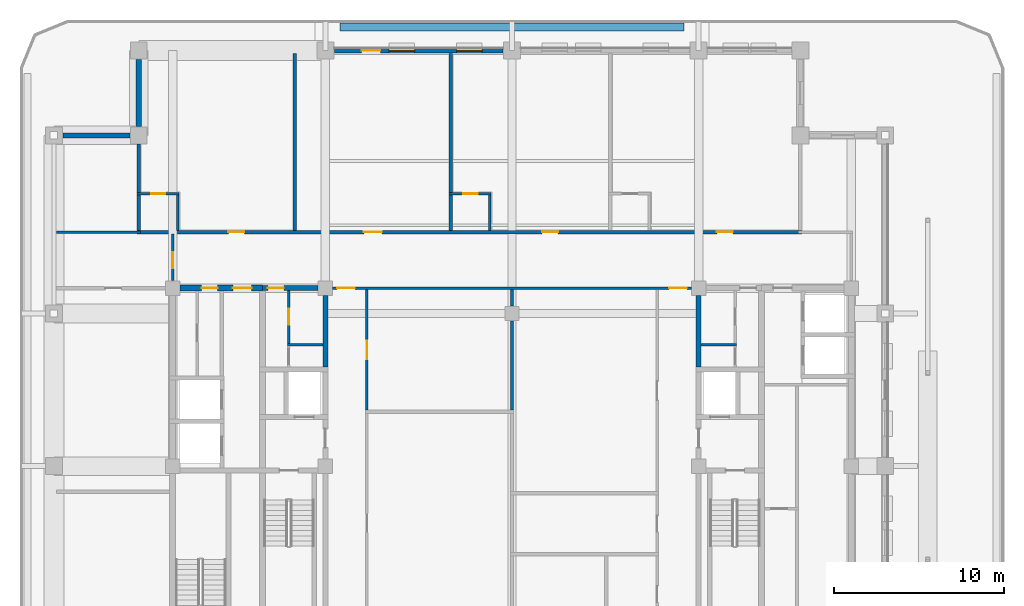
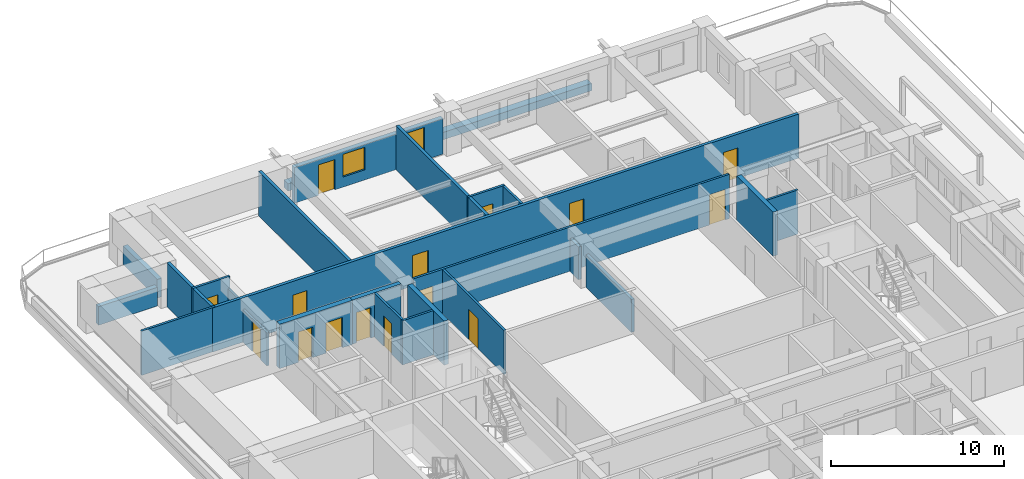
# One storey, part 9 of 18: 27 walls, 15 doors, 2 windows, 17 openings.
"""IFC4 building model written with IfcOpenShell, lengths in metres."""

from ifc_helpers import new_model, si_unit, direction, frame, frame_2d, origin, place, context, subcontext, project, spatial, rectangle, extrude, material, layer, layer_set, type_object, element, fill, save


model = new_model("IFC4")

# Units and contexts
model_context = context("Model", 3, precision=1e-05, world=origin(), true_north=direction((0.0, 1.0)))
body_context = subcontext(model_context, "Body", "Model", "MODEL_VIEW")
ifc_project = project(units=[si_unit("LENGTHUNIT", "METRE"), si_unit("AREAUNIT", "SQUARE_METRE"), si_unit("VOLUMEUNIT", "CUBIC_METRE"), si_unit("PLANEANGLEUNIT", "RADIAN"), si_unit("MASSUNIT", "GRAM", prefix="KILO")], contexts=[model_context])

# Site, building, storey
site_placement = place(None, origin())
site = spatial("IfcSite", under=ifc_project, at=site_placement, CompositionType="ELEMENT")
building_placement = place(site_placement, origin())
building = spatial("IfcBuilding", under=site, at=building_placement, Name="Zulmaris Gate Convention Tower", CompositionType="ELEMENT")
storey_placement = place(building_placement, frame((0.0, 0.0, 191.4599609375)))
storey = spatial("IfcBuildingStorey", under=building, at=storey_placement, Name="L49", CompositionType="ELEMENT", Elevation=191.4599609375)

# Wall, opening, door
ifc_material_1 = material(Name="Concrete C50/60", Category="concrete")
ifc_layer_1 = layer(ifc_material_1, 0.300048828125, Name="Concrete C50/60")
ifc_layer_set_1 = layer_set([ifc_layer_1], Name="Concrete C50/60")
wall_type_1 = type_object("IfcWallType", Name="CORE-300", PredefinedType="SHEAR", material=ifc_layer_set_1)
wall_1_placement = place(storey_placement, frame((-14.699951171875, 10.5, 0.0), z_axis=(0.0, 0.0, 1.0), x_axis=(1.0, 0.0, 0.0)))
wall_1 = element("IfcWall", 1, at=wall_1_placement, inside=storey, type_object=wall_type_1, Name="WL-L49-016", PredefinedType="SHEAR", context=body_context, shape_type="SweptSolid", body=[
    extrude(rectangle(XDim=3.27099609375, YDim=0.300048828125, at=frame_2d((1.635498046875, 0.0))), origin(), (0.0, 0.0, 1.0), 3.125),
])
opening_1_placement = place(wall_1_placement, frame((0.304931640625, 0.0, 0.0)))
opening_1 = element("IfcOpeningElement", 2, at=opening_1_placement, cuts=wall_1, Name="Opening D-11", PredefinedType="OPENING", context=body_context, shape_type="SweptSolid", body=[
    extrude(rectangle(XDim=0.949951171875, YDim=2.14990234375, at=frame_2d((0.47509765625, 1.074951171875))), frame((0.0, 0.16015625, 0.0), z_axis=(0.0, -1.0, 0.0), x_axis=(1.0, 0.0, 0.0)), (0.0, 0.0, 1.0), 0.320068359375),
])
ifc_material_2 = material(Name="Fire-Rated Timber", Category="wood")
door_type_1 = type_object("IfcDoorType", Name="DR-950-FD", OperationType="NOTDEFINED", PredefinedType="DOOR", material=ifc_material_2)
door_1_placement = place(opening_1_placement, origin())
door_1 = element("IfcDoor", 3, at=door_1_placement, inside=storey, type_object=door_type_1, Name="L49 Core West Passage Door 07", OperationType="SINGLE_SWING_LEFT", OverallHeight=2.14990234375, OverallWidth=0.949951171875, PredefinedType="DOOR", context=body_context, shape_type="SweptSolid", body=[
    extrude(rectangle(XDim=0.949951171875, YDim=2.14990234375, at=frame_2d((0.47509765625, 1.074951171875))), frame((0.0, 0.02490234375, 0.0), z_axis=(0.0, -1.0, 0.0), x_axis=(1.0, 0.0, 0.0)), (0.0, 0.0, 1.0), 0.050048828125),
])
fill(opening_1, door_1)

# Walls
for number, where, z_axis, x_axis, name in (
    (4, (-11.0, 5.85205078125, 0.0), (0.0, 0.0, 1.0), (0.0, 1.0, 0.0), "WL-L49-060"),
    (5, (11.0, 5.85205078125, 0.0), (0.0, 0.0, 1.0), (0.0, 1.0, 0.0), "WL-L49-064"),
):
    element("IfcWall", number, at=place(storey_placement, frame(where, z_axis=z_axis, x_axis=x_axis)), inside=storey, type_object=wall_type_1, Name=name, PredefinedType="SHEAR", context=body_context, shape_type="SweptSolid", body=[
        extrude(rectangle(XDim=4.218994140625, YDim=0.300048828125, at=frame_2d((2.109375, 0.0))), origin(), (0.0, 0.0, 1.0), 3.125),
    ])

# Wall, openings, doors
ifc_material_3 = material(Name="Concrete C55/67", Category="concrete")
ifc_layer_2 = layer(ifc_material_3, 0.35009765625, Name="Concrete C55/67")
ifc_layer_set_2 = layer_set([ifc_layer_2], Name="Concrete C55/67")
wall_type_2 = type_object("IfcWallType", Name="CORE-350", PredefinedType="SHEAR", material=ifc_layer_set_2)
wall_2_placement = place(storey_placement, frame((-19.571044921875, 10.5, 0.0), z_axis=(0.0, 0.0, 1.0), x_axis=(1.0, 0.0, 0.0)))
wall_2 = element("IfcWall", 6, at=wall_2_placement, inside=storey, type_object=wall_type_2, Name="WL-L49-015", PredefinedType="SHEAR", context=body_context, shape_type="SweptSolid", body=[
    extrude(rectangle(XDim=4.87109375, YDim=0.35009765625, at=frame_2d((2.435546875, 0.0))), origin(), (0.0, 0.0, 1.0), 3.125),
])
opening_2_placement = place(wall_2_placement, frame((3.12109375, 0.0, 0.0)))
opening_2 = element("IfcOpeningElement", 7, at=opening_2_placement, cuts=wall_2, Name="Opening D-08", PredefinedType="OPENING", context=body_context, shape_type="SweptSolid", body=[
    extrude(rectangle(XDim=1.10009765625, YDim=2.14990234375, at=frame_2d((0.550048828125, 1.074951171875))), frame((0.0, 0.18505859375, 0.0), z_axis=(0.0, -1.0, 0.0), x_axis=(1.0, 0.0, 0.0)), (0.0, 0.0, 1.0), 0.3701171875),
])
opening_3_placement = place(wall_2_placement, frame((1.27587890625, 0.0, 0.0)))
opening_3 = element("IfcOpeningElement", 8, at=opening_3_placement, cuts=wall_2, Name="Opening D-11", PredefinedType="OPENING", context=body_context, shape_type="SweptSolid", body=[
    extrude(rectangle(XDim=0.949951171875, YDim=2.14990234375, at=frame_2d((0.47509765625, 1.074951171875))), frame((0.0, 0.18505859375, 0.0), z_axis=(0.0, -1.0, 0.0), x_axis=(1.0, 0.0, 0.0)), (0.0, 0.0, 1.0), 0.3701171875),
])
ifc_material_4 = material(Name="Fire-Rated Steel", Category="steel")
door_type_2 = type_object("IfcDoorType", Name="DR-1100-FD", OperationType="NOTDEFINED", PredefinedType="DOOR", material=ifc_material_4)
door_2_placement = place(opening_2_placement, origin())
door_2 = element("IfcDoor", 9, at=door_2_placement, inside=storey, type_object=door_type_2, Name="L49 High-Rise West Lift Lobby Door 16", OperationType="SINGLE_SWING_RIGHT", OverallHeight=2.14990234375, OverallWidth=1.10009765625, PredefinedType="DOOR", context=body_context, shape_type="SweptSolid", body=[
    extrude(rectangle(XDim=1.10009765625, YDim=2.14990234375, at=frame_2d((0.550048828125, 1.074951171875))), frame((0.0, 0.02490234375, 0.0), z_axis=(0.0, -1.0, 0.0), x_axis=(1.0, 0.0, 0.0)), (0.0, 0.0, 1.0), 0.050048828125),
])
fill(opening_2, door_2)
door_3_placement = place(opening_3_placement, origin())
door_3 = element("IfcDoor", 10, at=door_3_placement, inside=storey, type_object=door_type_1, Name="L49 Tray Closet Door 17", OperationType="SINGLE_SWING_LEFT", OverallHeight=2.14990234375, OverallWidth=0.949951171875, PredefinedType="DOOR", context=body_context, shape_type="SweptSolid", body=[
    extrude(rectangle(XDim=0.949951171875, YDim=2.14990234375, at=frame_2d((0.47509765625, 1.074951171875))), frame((0.0, 0.02490234375, 0.0), z_axis=(0.0, -1.0, 0.0), x_axis=(1.0, 0.0, 0.0)), (0.0, 0.0, 1.0), 0.050048828125),
])
fill(opening_3, door_3)

# Walls
ifc_material_5 = material(Name="Gypsum Metal Stud Partition")
ifc_layer_3 = layer(ifc_material_5, 0.14990234375, Name="Gypsum Metal Stud Partition")
ifc_layer_set_3 = layer_set([ifc_layer_3], Name="Gypsum Metal Stud Partition")
wall_type_3 = type_object("IfcWallType", Name="PART-150", PredefinedType="PARTITIONING", material=ifc_layer_set_3)
for number, where, z_axis, x_axis, name in (
    (11, (-13.22509765625, 7.14990234375, 0.0), (0.0, 0.0, 1.0), (1.0, 0.0, 0.0), "WL-L49-034"),
    (12, (11.153076171875, 7.14990234375, 0.0), (0.0, 0.0, 1.0), (1.0, 0.0, 0.0), "WL-L49-035"),
):
    element("IfcWall", number, at=place(storey_placement, frame(where, z_axis=z_axis, x_axis=x_axis)), inside=storey, type_object=wall_type_3, Name=name, PredefinedType="PARTITIONING", context=body_context, shape_type="SweptSolid", body=[
        extrude(rectangle(XDim=2.072021484375, YDim=0.14990234375, at=frame_2d((1.0361328125, 0.0))), origin(), (0.0, 0.0, 1.0), 3.125),
    ])

# Wall, openings, doors
wall_3_placement = place(storey_placement, frame((-10.569091796875, 10.5, 0.0), z_axis=(0.0, 0.0, 1.0), x_axis=(1.0, 0.0, 0.0)))
wall_3 = element("IfcWall", 13, at=wall_3_placement, inside=storey, type_object=wall_type_3, Name="WL-L49-037", PredefinedType="PARTITIONING", context=body_context, shape_type="SweptSolid", body=[
    extrude(rectangle(XDim=21.13818359375, YDim=0.14990234375, at=frame_2d((10.569091796875, 0.0))), origin(), (0.0, 0.0, 1.0), 3.125),
])
opening_4_placement = place(wall_3_placement, frame((0.263916015625, 0.0, 0.0)))
opening_4 = element("IfcOpeningElement", 14, at=opening_4_placement, cuts=wall_3, Name="Opening D-09", PredefinedType="OPENING", context=body_context, shape_type="SweptSolid", body=[
    extrude(rectangle(XDim=1.050048828125, YDim=2.14990234375, at=frame_2d((0.52490234375, 1.074951171875))), frame((0.0, 0.0849609375, 0.0), z_axis=(0.0, -1.0, 0.0), x_axis=(1.0, 0.0, 0.0)), (0.0, 0.0, 1.0), 0.169921875),
])
opening_5_placement = place(wall_3_placement, frame((19.823974609375, 0.0, 0.0)))
opening_5 = element("IfcOpeningElement", 15, at=opening_5_placement, cuts=wall_3, Name="Opening D-09", PredefinedType="OPENING", context=body_context, shape_type="SweptSolid", body=[
    extrude(rectangle(XDim=1.050048828125, YDim=2.14990234375, at=frame_2d((0.52490234375, 1.074951171875))), frame((0.0, 0.0849609375, 0.0), z_axis=(0.0, -1.0, 0.0), x_axis=(1.0, 0.0, 0.0)), (0.0, 0.0, 1.0), 0.169921875),
])
door_type_3 = type_object("IfcDoorType", Name="DR-1050-FD", OperationType="NOTDEFINED", PredefinedType="DOOR", material=ifc_material_4)
door_4_placement = place(opening_4_placement, origin())
door_4 = element("IfcDoor", 16, at=door_4_placement, inside=storey, type_object=door_type_3, Name="L49 NW Hotel Loop Door 25", OperationType="SINGLE_SWING_LEFT", OverallHeight=2.14990234375, OverallWidth=1.050048828125, PredefinedType="DOOR", context=body_context, shape_type="SweptSolid", body=[
    extrude(rectangle(XDim=1.050048828125, YDim=2.14990234375, at=frame_2d((0.52490234375, 1.074951171875))), frame((0.0, 0.02490234375, 0.0), z_axis=(0.0, -1.0, 0.0), x_axis=(1.0, 0.0, 0.0)), (0.0, 0.0, 1.0), 0.050048828125),
])
fill(opening_4, door_4)
door_5_placement = place(opening_5_placement, origin())
door_5 = element("IfcDoor", 17, at=door_5_placement, inside=storey, type_object=door_type_3, Name="L49 NE Hotel Loop Door 27", OperationType="SINGLE_SWING_LEFT", OverallHeight=2.14990234375, OverallWidth=1.050048828125, PredefinedType="DOOR", context=body_context, shape_type="SweptSolid", body=[
    extrude(rectangle(XDim=1.050048828125, YDim=2.14990234375, at=frame_2d((0.52490234375, 1.074951171875))), frame((0.0, 0.02490234375, 0.0), z_axis=(0.0, -1.0, 0.0), x_axis=(1.0, 0.0, 0.0)), (0.0, 0.0, 1.0), 0.050048828125),
])
fill(opening_5, door_5)

# Wall
wall_4_placement = place(storey_placement, frame((-26.8349609375, 13.800048828125, 0.0), z_axis=(0.0, 0.0, 1.0), x_axis=(1.0, 0.0, 0.0)))
element("IfcWall", 18, at=wall_4_placement, inside=storey, type_object=wall_type_3, Name="WL-L49-038", PredefinedType="PARTITIONING", context=body_context, shape_type="SweptSolid", body=[
    extrude(rectangle(XDim=4.93505859375, YDim=0.14990234375, at=frame_2d((2.467529296875, 0.0))), origin(), (0.0, 0.0, 1.0), 3.125),
])

# Wall, opening, door
wall_5_placement = place(storey_placement, frame((-22.10009765625, 16.050048828125, 0.0), z_axis=(0.0, 0.0, 1.0), x_axis=(1.0, 0.0, 0.0)))
wall_5 = element("IfcWall", 19, at=wall_5_placement, inside=storey, type_object=wall_type_3, Name="WL-L49-041", PredefinedType="PARTITIONING", context=body_context, shape_type="SweptSolid", body=[
    extrude(rectangle(XDim=2.47509765625, YDim=0.14990234375, at=frame_2d((1.237548828125, 0.0))), origin(), (0.0, 0.0, 1.0), 3.125),
])
opening_6_placement = place(wall_5_placement, frame((0.824951171875, 0.0, 0.0)))
opening_6 = element("IfcOpeningElement", 20, at=opening_6_placement, cuts=wall_5, Name="Opening D-17", PredefinedType="OPENING", context=body_context, shape_type="SweptSolid", body=[
    extrude(rectangle(XDim=0.85009765625, YDim=2.10009765625, at=frame_2d((0.425048828125, 1.050048828125))), frame((0.0, 0.0849609375, 0.0), z_axis=(0.0, -1.0, 0.0), x_axis=(1.0, 0.0, 0.0)), (0.0, 0.0, 1.0), 0.169921875),
])
ifc_material_6 = material(Name="Moisture-Resistant Hardwood Timber", Category="wood")
door_type_4 = type_object("IfcDoorType", Name="DR-850", OperationType="NOTDEFINED", PredefinedType="DOOR", material=ifc_material_6)
door_6_placement = place(opening_6_placement, origin())
door_6 = element("IfcDoor", 21, at=door_6_placement, inside=storey, type_object=door_type_4, Name="L49 En-Suite Door 30", OperationType="SINGLE_SWING_RIGHT", OverallHeight=2.10009765625, OverallWidth=0.85009765625, PredefinedType="DOOR", context=body_context, shape_type="SweptSolid", body=[
    extrude(rectangle(XDim=0.85009765625, YDim=2.10009765625, at=frame_2d((0.425048828125, 1.050048828125))), frame((0.0, 0.02490234375, 0.0), z_axis=(0.0, -1.0, 0.0), x_axis=(1.0, 0.0, 0.0)), (0.0, 0.0, 1.0), 0.050048828125),
])
fill(opening_6, door_6)

wall_6_placement = place(storey_placement, frame((-3.699951171875, 16.050048828125, 0.0), z_axis=(0.0, 0.0, 1.0), x_axis=(1.0, 0.0, 0.0)))
wall_6 = element("IfcWall", 22, at=wall_6_placement, inside=storey, type_object=wall_type_3, Name="WL-L49-042", PredefinedType="PARTITIONING", context=body_context, shape_type="SweptSolid", body=[
    extrude(rectangle(XDim=2.474853515625, YDim=0.14990234375, at=frame_2d((1.2373046875, 0.0))), origin(), (0.0, 0.0, 1.0), 3.125),
])
opening_7_placement = place(wall_6_placement, frame((0.824951171875, 0.0, 0.0)))
opening_7 = element("IfcOpeningElement", 23, at=opening_7_placement, cuts=wall_6, Name="Opening D-17", PredefinedType="OPENING", context=body_context, shape_type="SweptSolid", body=[
    extrude(rectangle(XDim=0.85009765625, YDim=2.10009765625, at=frame_2d((0.425048828125, 1.050048828125))), frame((0.0, 0.0849609375, 0.0), z_axis=(0.0, -1.0, 0.0), x_axis=(1.0, 0.0, 0.0)), (0.0, 0.0, 1.0), 0.169921875),
])
door_7_placement = place(opening_7_placement, origin())
door_7 = element("IfcDoor", 24, at=door_7_placement, inside=storey, type_object=door_type_4, Name="L49 En-Suite Door 33", OperationType="SINGLE_SWING_LEFT", OverallHeight=2.10009765625, OverallWidth=0.85009765625, PredefinedType="DOOR", context=body_context, shape_type="SweptSolid", body=[
    extrude(rectangle(XDim=0.85009765625, YDim=2.10009765625, at=frame_2d((0.425048828125, 1.050048828125))), frame((0.0, 0.02490234375, 0.0), z_axis=(0.0, -1.0, 0.0), x_axis=(1.0, 0.0, 0.0)), (0.0, 0.0, 1.0), 0.050048828125),
])
fill(opening_7, door_7)

wall_7_placement = place(storey_placement, frame((-20.0, 10.930908203125, 0.0), z_axis=(0.0, 0.0, 1.0), x_axis=(0.0, 1.0, 0.0)))
wall_7 = element("IfcWall", 25, at=wall_7_placement, inside=storey, type_object=wall_type_3, Name="WL-L49-081", PredefinedType="PARTITIONING", context=body_context, shape_type="SweptSolid", body=[
    extrude(rectangle(XDim=2.76611328125, YDim=0.14990234375, at=frame_2d((1.383056640625, 0.0))), origin(), (0.0, 0.0, 1.0), 2.31689453125),
])
opening_8_placement = place(wall_7_placement, frame((0.743896484375, 0.0, 0.0)))
opening_8 = element("IfcOpeningElement", 26, at=opening_8_placement, cuts=wall_7, Name="Opening D-11", PredefinedType="OPENING", context=body_context, shape_type="SweptSolid", body=[
    extrude(rectangle(XDim=0.949951171875, YDim=2.14990234375, at=frame_2d((0.47509765625, 1.074951171875))), frame((0.0, 0.0849609375, 0.0), z_axis=(0.0, -1.0, 0.0), x_axis=(1.0, 0.0, 0.0)), (0.0, 0.0, 1.0), 0.169921875),
])
door_8_placement = place(opening_8_placement, origin())
door_8 = element("IfcDoor", 27, at=door_8_placement, inside=storey, type_object=door_type_1, Name="L49 West Spur Door 50", OperationType="SINGLE_SWING_RIGHT", OverallHeight=2.14990234375, OverallWidth=0.949951171875, PredefinedType="DOOR", context=body_context, shape_type="SweptSolid", body=[
    extrude(rectangle(XDim=0.949951171875, YDim=2.14990234375, at=frame_2d((0.47509765625, 1.074951171875))), frame((0.0, 0.02490234375, 0.0), z_axis=(0.0, -1.0, 0.0), x_axis=(1.0, 0.0, 0.0)), (0.0, 0.0, 1.0), 0.050048828125),
])
fill(opening_8, door_8)

# Wall
wall_8_placement = place(storey_placement, frame((-19.699951171875, 13.903076171875, 0.0), z_axis=(0.0, 0.0, 1.0), x_axis=(0.0, 1.0, 0.0)))
element("IfcWall", 28, at=wall_8_placement, inside=storey, type_object=wall_type_3, Name="WL-L49-083", PredefinedType="PARTITIONING", context=body_context, shape_type="SweptSolid", body=[
    extrude(rectangle(XDim=2.06884765625, YDim=0.14990234375, at=frame_2d((1.034423828125, 0.0))), origin(), (0.0, 0.0, 1.0), 2.31689453125),
])

# Wall, opening, door
wall_9_placement = place(storey_placement, frame((-13.14990234375, 7.22802734375, 0.0), z_axis=(0.0, 0.0, 1.0), x_axis=(0.0, 1.0, 0.0)))
wall_9 = element("IfcWall", 29, at=wall_9_placement, inside=storey, type_object=wall_type_3, Name="WL-L49-087", PredefinedType="PARTITIONING", context=body_context, shape_type="SweptSolid", body=[
    extrude(rectangle(XDim=3.118896484375, YDim=0.14990234375, at=frame_2d((1.5595703125, 0.0))), origin(), (0.0, 0.0, 1.0), 3.125),
])
opening_9_placement = place(wall_9_placement, frame((1.096923828125, 0.0, 0.0)))
opening_9 = element("IfcOpeningElement", 30, at=opening_9_placement, cuts=wall_9, Name="Opening D-11", PredefinedType="OPENING", context=body_context, shape_type="SweptSolid", body=[
    extrude(rectangle(XDim=0.949951171875, YDim=2.14990234375, at=frame_2d((0.47509765625, 1.074951171875))), frame((0.0, 0.0849609375, 0.0), z_axis=(0.0, -1.0, 0.0), x_axis=(1.0, 0.0, 0.0)), (0.0, 0.0, 1.0), 0.169921875),
])
door_9_placement = place(opening_9_placement, origin())
door_9 = element("IfcDoor", 31, at=door_9_placement, inside=storey, type_object=door_type_1, Name="L49 Meter Closet Door 09", OperationType="SINGLE_SWING_LEFT", OverallHeight=2.14990234375, OverallWidth=0.949951171875, PredefinedType="DOOR", context=body_context, shape_type="SweptSolid", body=[
    extrude(rectangle(XDim=0.949951171875, YDim=2.14990234375, at=frame_2d((0.47509765625, 1.074951171875))), frame((0.0, 0.02490234375, 0.0), z_axis=(0.0, -1.0, 0.0), x_axis=(1.0, 0.0, 0.0)), (0.0, 0.0, 1.0), 0.050048828125),
])
fill(opening_9, door_9)

wall_10_placement = place(storey_placement, frame((-8.550048828125, 3.302978515625, 0.0), z_axis=(0.0, 0.0, 1.0), x_axis=(0.0, 1.0, 0.0)))
wall_10 = element("IfcWall", 32, at=wall_10_placement, inside=storey, type_object=wall_type_3, Name="WL-L49-093", PredefinedType="PARTITIONING", context=body_context, shape_type="SweptSolid", body=[
    extrude(rectangle(XDim=7.119140625, YDim=0.14990234375, at=frame_2d((3.5595703125, 0.0))), origin(), (0.0, 0.0, 1.0), 3.125),
])
opening_10_placement = place(wall_10_placement, frame((2.9970703125, 0.0, 0.0)))
opening_10 = element("IfcOpeningElement", 33, at=opening_10_placement, cuts=wall_10, Name="Opening D-08", PredefinedType="OPENING", context=body_context, shape_type="SweptSolid", body=[
    extrude(rectangle(XDim=1.10009765625, YDim=2.14990234375, at=frame_2d((0.550048828125, 1.074951171875))), frame((0.0, 0.0849609375, 0.0), z_axis=(0.0, -1.0, 0.0), x_axis=(1.0, 0.0, 0.0)), (0.0, 0.0, 1.0), 0.169921875),
])
door_10_placement = place(opening_10_placement, origin())
door_10 = element("IfcDoor", 34, at=door_10_placement, inside=storey, type_object=door_type_2, Name="L49 Club Lounge Door 44", OperationType="SINGLE_SWING_RIGHT", OverallHeight=2.14990234375, OverallWidth=1.10009765625, PredefinedType="DOOR", context=body_context, shape_type="SweptSolid", body=[
    extrude(rectangle(XDim=1.10009765625, YDim=2.14990234375, at=frame_2d((0.550048828125, 1.074951171875))), frame((0.0, 0.02490234375, 0.0), z_axis=(0.0, -1.0, 0.0), x_axis=(1.0, 0.0, 0.0)), (0.0, 0.0, 1.0), 0.050048828125),
])
fill(opening_10, door_10)

# Wall
wall_11_placement = place(storey_placement, frame((-1.300048828125, 13.903076171875, 0.0), z_axis=(0.0, 0.0, 1.0), x_axis=(0.0, 1.0, 0.0)))
element("IfcWall", 35, at=wall_11_placement, inside=storey, type_object=wall_type_3, Name="WL-L49-096", PredefinedType="PARTITIONING", context=body_context, shape_type="SweptSolid", body=[
    extrude(rectangle(XDim=2.06884765625, YDim=0.14990234375, at=frame_2d((1.034423828125, 0.0))), origin(), (0.0, 0.0, 1.0), 3.125),
])

# Wall, openings, doors
ifc_material_7 = material(Name="Autoclaved Aerated Concrete Block and Plasterboard", Category="concrete")
ifc_layer_4 = layer(ifc_material_7, 0.199951171875, Name="Autoclaved Aerated Concrete Block and Plasterboard")
ifc_layer_set_4 = layer_set([ifc_layer_4], Name="Autoclaved Aerated Concrete Block and Plasterboard")
wall_type_4 = type_object("IfcWallType", Name="PART-200", PredefinedType="PARTITIONING", material=ifc_layer_set_4)
wall_12_placement = place(storey_placement, frame((-22.10009765625, 13.800048828125, 0.0), z_axis=(0.0, 0.0, 1.0), x_axis=(1.0, 0.0, 0.0)))
wall_12 = element("IfcWall", 36, at=wall_12_placement, inside=storey, type_object=wall_type_4, Name="WL-L49-039", PredefinedType="PARTITIONING", context=body_context, shape_type="SweptSolid", body=[
    extrude(rectangle(XDim=39.2001953125, YDim=0.199951171875, at=frame_2d((19.60009765625, 0.0))), origin(), (0.0, 0.0, 1.0), 3.125),
])
opening_11_placement = place(wall_12_placement, frame((5.375, 0.0, 0.0)))
opening_11 = element("IfcOpeningElement", 37, at=opening_11_placement, cuts=wall_12, Name="Opening D-11", PredefinedType="OPENING", context=body_context, shape_type="SweptSolid", body=[
    extrude(rectangle(XDim=0.949951171875, YDim=2.14990234375, at=frame_2d((0.47509765625, 1.074951171875))), frame((0.0, 0.10986328125, 0.0), z_axis=(0.0, -1.0, 0.0), x_axis=(1.0, 0.0, 0.0)), (0.0, 0.0, 1.0), 0.219970703125),
])
opening_12_placement = place(wall_12_placement, frame((13.375, 0.0, 0.0)))
opening_12 = element("IfcOpeningElement", 38, at=opening_12_placement, cuts=wall_12, Name="Opening D-09", PredefinedType="OPENING", context=body_context, shape_type="SweptSolid", body=[
    extrude(rectangle(XDim=1.050048828125, YDim=2.14990234375, at=frame_2d((0.52490234375, 1.074951171875))), frame((0.0, 0.10986328125, 0.0), z_axis=(0.0, -1.0, 0.0), x_axis=(1.0, 0.0, 0.0)), (0.0, 0.0, 1.0), 0.219970703125),
])
opening_13_placement = place(wall_12_placement, frame((23.875, 0.0, 0.0)))
opening_13 = element("IfcOpeningElement", 39, at=opening_13_placement, cuts=wall_12, Name="Opening D-11", PredefinedType="OPENING", context=body_context, shape_type="SweptSolid", body=[
    extrude(rectangle(XDim=0.949951171875, YDim=2.14990234375, at=frame_2d((0.47509765625, 1.074951171875))), frame((0.0, 0.10986328125, 0.0), z_axis=(0.0, -1.0, 0.0), x_axis=(1.0, 0.0, 0.0)), (0.0, 0.0, 1.0), 0.219970703125),
])
opening_14_placement = place(wall_12_placement, frame((34.175048828125, 0.0, 0.0)))
opening_14 = element("IfcOpeningElement", 40, at=opening_14_placement, cuts=wall_12, Name="Opening D-11", PredefinedType="OPENING", context=body_context, shape_type="SweptSolid", body=[
    extrude(rectangle(XDim=0.949951171875, YDim=2.14990234375, at=frame_2d((0.47509765625, 1.074951171875))), frame((0.0, 0.10986328125, 0.0), z_axis=(0.0, -1.0, 0.0), x_axis=(1.0, 0.0, 0.0)), (0.0, 0.0, 1.0), 0.219970703125),
])
door_11_placement = place(opening_12_placement, origin())
door_11 = element("IfcDoor", 41, at=door_11_placement, inside=storey, type_object=door_type_3, Name="L49 Hotel Sky Conservatory Lounge Door 31", OperationType="SINGLE_SWING_LEFT", OverallHeight=2.14990234375, OverallWidth=1.050048828125, PredefinedType="DOOR", context=body_context, shape_type="SweptSolid", body=[
    extrude(rectangle(XDim=1.050048828125, YDim=2.14990234375, at=frame_2d((0.52490234375, 1.074951171875))), frame((0.0, 0.02490234375, 0.0), z_axis=(0.0, -1.0, 0.0), x_axis=(1.0, 0.0, 0.0)), (0.0, 0.0, 1.0), 0.050048828125),
])
fill(opening_12, door_11)
door_12_placement = place(opening_11_placement, origin())
door_12 = element("IfcDoor", 42, at=door_12_placement, inside=storey, type_object=door_type_1, Name="L49 Hotel Diplomatic Suite Door 29", OperationType="SINGLE_SWING_LEFT", OverallHeight=2.14990234375, OverallWidth=0.949951171875, PredefinedType="DOOR", context=body_context, shape_type="SweptSolid", body=[
    extrude(rectangle(XDim=0.949951171875, YDim=2.14990234375, at=frame_2d((0.47509765625, 1.074951171875))), frame((0.0, 0.02490234375, 0.0), z_axis=(0.0, -1.0, 0.0), x_axis=(1.0, 0.0, 0.0)), (0.0, 0.0, 1.0), 0.050048828125),
])
fill(opening_11, door_12)
door_13_placement = place(opening_13_placement, origin())
door_13 = element("IfcDoor", 43, at=door_13_placement, inside=storey, type_object=door_type_1, Name="L49 Hotel Diplomatic Suite Door 32", OperationType="SINGLE_SWING_RIGHT", OverallHeight=2.14990234375, OverallWidth=0.949951171875, PredefinedType="DOOR", context=body_context, shape_type="SweptSolid", body=[
    extrude(rectangle(XDim=0.949951171875, YDim=2.14990234375, at=frame_2d((0.47509765625, 1.074951171875))), frame((0.0, 0.02490234375, 0.0), z_axis=(0.0, -1.0, 0.0), x_axis=(1.0, 0.0, 0.0)), (0.0, 0.0, 1.0), 0.050048828125),
])
fill(opening_13, door_13)
door_14_placement = place(opening_14_placement, origin())
door_14 = element("IfcDoor", 44, at=door_14_placement, inside=storey, type_object=door_type_1, Name="L49 Hotel Diplomatic Suite Door 34", OperationType="SINGLE_SWING_RIGHT", OverallHeight=2.14990234375, OverallWidth=0.949951171875, PredefinedType="DOOR", context=body_context, shape_type="SweptSolid", body=[
    extrude(rectangle(XDim=0.949951171875, YDim=2.14990234375, at=frame_2d((0.47509765625, 1.074951171875))), frame((0.0, 0.02490234375, 0.0), z_axis=(0.0, -1.0, 0.0), x_axis=(1.0, 0.0, 0.0)), (0.0, 0.0, 1.0), 0.050048828125),
])
fill(opening_14, door_14)

# Walls
wall_13_placement = place(storey_placement, frame((-22.0, 13.903076171875, 0.0), z_axis=(0.0, 0.0, 1.0), x_axis=(0.0, 1.0, 0.0)))
element("IfcWall", 45, at=wall_13_placement, inside=storey, type_object=wall_type_4, Name="WL-L49-078", PredefinedType="PARTITIONING", context=body_context, shape_type="SweptSolid", body=[
    extrude(rectangle(XDim=2.06884765625, YDim=0.199951171875, at=frame_2d((1.034423828125, 0.0))), origin(), (0.0, 0.0, 1.0), 3.125),
])
wall_14_placement = place(storey_placement, frame((-22.0, 16.1279296875, 0.0), z_axis=(0.0, 0.0, 1.0), x_axis=(0.0, 1.0, 0.0)))
element("IfcWall", 46, at=wall_14_placement, inside=storey, type_object=wall_type_4, Name="WL-L49-079", PredefinedType="PARTITIONING", context=body_context, shape_type="SweptSolid", body=[
    extrude(rectangle(XDim=2.865966796875, YDim=0.199951171875, at=frame_2d((1.43310546875, 0.0))), origin(), (0.0, 0.0, 1.0), 3.125),
])
wall_15_placement = place(storey_placement, frame((-12.800048828125, 13.903076171875, 0.0), z_axis=(0.0, 0.0, 1.0), x_axis=(0.0, 1.0, 0.0)))
element("IfcWall", 47, at=wall_15_placement, inside=storey, type_object=wall_type_4, Name="WL-L49-088", PredefinedType="PARTITIONING", context=body_context, shape_type="SweptSolid", body=[
    extrude(rectangle(XDim=10.431884765625, YDim=0.199951171875, at=frame_2d((5.2158203125, 0.0))), origin(), (0.0, 0.0, 1.0), 3.125),
])
wall_16_placement = place(storey_placement, frame((-3.60009765625, 13.903076171875, 0.0), z_axis=(0.0, 0.0, 1.0), x_axis=(0.0, 1.0, 0.0)))
element("IfcWall", 48, at=wall_16_placement, inside=storey, type_object=wall_type_4, Name="WL-L49-094", PredefinedType="PARTITIONING", context=body_context, shape_type="SweptSolid", body=[
    extrude(rectangle(XDim=2.06884765625, YDim=0.199951171875, at=frame_2d((1.034423828125, 0.0))), origin(), (0.0, 0.0, 1.0), 3.125),
])
wall_17_placement = place(storey_placement, frame((-3.60009765625, 16.1279296875, 0.0), z_axis=(0.0, 0.0, 1.0), x_axis=(0.0, 1.0, 0.0)))
element("IfcWall", 49, at=wall_17_placement, inside=storey, type_object=wall_type_4, Name="WL-L49-095", PredefinedType="PARTITIONING", context=body_context, shape_type="SweptSolid", body=[
    extrude(rectangle(XDim=8.20703125, YDim=0.199951171875, at=frame_2d((4.103515625, 0.0))), origin(), (0.0, 0.0, 1.0), 3.125),
])
wall_18_placement = place(storey_placement, frame((0.0, 3.302978515625, 0.0), z_axis=(0.0, 0.0, 1.0), x_axis=(0.0, 1.0, 0.0)))
element("IfcWall", 50, at=wall_18_placement, inside=storey, type_object=wall_type_4, Name="WL-L49-102", PredefinedType="PARTITIONING", context=body_context, shape_type="SweptSolid", body=[
    extrude(rectangle(XDim=5.26611328125, YDim=0.199951171875, at=frame_2d((2.633056640625, 0.0))), origin(), (0.0, 0.0, 1.0), 2.31689453125),
])
wall_19_placement = place(storey_placement, frame((0.0, 9.430908203125, 0.0), z_axis=(0.0, 0.0, 1.0), x_axis=(0.0, 1.0, 0.0)))
element("IfcWall", 51, at=wall_19_placement, inside=storey, type_object=wall_type_4, Name="WL-L49-102S1", PredefinedType="PARTITIONING", context=body_context, shape_type="SweptSolid", body=[
    extrude(rectangle(XDim=0.9912109375, YDim=0.199951171875, at=frame_2d((0.49560546875, 0.0))), origin(), (0.0, 0.0, 1.0), 2.31689453125),
])
ifc_material_8 = material(Name="Botanical Green Glazed Precast Concrete C40/50", Category="concrete")
ifc_layer_5 = layer(ifc_material_8, 0.419921875, Name="Botanical Green Glazed Precast Concrete C40/50")
ifc_layer_set_5 = layer_set([ifc_layer_5], Name="Botanical Green Glazed Precast Concrete C40/50")
wall_type_5 = type_object("IfcWallType", Name="PLANTER-CURB-200", PredefinedType="PARAPET", material=ifc_layer_set_5)
wall_20_placement = place(storey_placement, frame((-10.14990234375, 25.8798828125, -0.0400390625), z_axis=(0.0, 0.0, 1.0), x_axis=(1.0, 0.0, 0.0)))
element("IfcWall", 52, at=wall_20_placement, inside=storey, type_object=wall_type_5, Name="L49 Full-Length Balcony Tree Planter Trough", PredefinedType="PARAPET", context=body_context, shape_type="SweptSolid", body=[
    extrude(rectangle(XDim=20.2998046875, YDim=0.47998046875, at=frame_2d((10.14990234375, 0.0))), origin(), (0.0, 0.0, 1.0), 0.52001953125),
])
ifc_material_9 = material(Name="Precast concrete C40/50", Category="concrete")
ifc_layer_6 = layer(ifc_material_9, 0.300048828125, Name="Precast concrete C40/50")
ifc_layer_set_6 = layer_set([ifc_layer_6], Name="Precast concrete C40/50")
wall_type_6 = type_object("IfcWallType", Name="PRECAST-PIER-300", PredefinedType="STANDARD", material=ifc_layer_set_6)
for number, where, z_axis, x_axis, name in (
    (53, (-22.0, 23.969970703125, 0.0), (0.0, 0.0, 1.0), (0.0, -1.0, 0.0), "EW-L49-NOTCH-NW1_0"),
    (54, (-22.530029296875, 19.5, 0.0), (0.0, 0.0, 1.0), (-1.0, 0.0, 0.0), "EW-L49-NOTCH-NW2_0"),
):
    element("IfcWall", number, at=place(storey_placement, frame(where, z_axis=z_axis, x_axis=x_axis)), inside=storey, type_object=wall_type_6, Name=name, PredefinedType="STANDARD", context=body_context, shape_type="SweptSolid", body=[
        extrude(rectangle(XDim=3.93994140625, YDim=0.300048828125, at=frame_2d((1.969970703125, 0.0))), origin(), (0.0, 0.0, 1.0), 1.31689453125),
    ])

# Wall, openings, door, windows
wall_21_placement = place(storey_placement, frame((-0.530029296875, 24.5, 0.0), z_axis=(0.0, 0.0, 1.0), x_axis=(-1.0, 0.0, 0.0)))
wall_21 = element("IfcWall", 55, at=wall_21_placement, inside=storey, type_object=wall_type_6, Name="EW-L49-N-1_0", PredefinedType="STANDARD", context=body_context, shape_type="SweptSolid", body=[
    extrude(rectangle(XDim=9.93994140625, YDim=0.300048828125, at=frame_2d((4.969970703125, 0.0))), origin(), (0.0, 0.0, 1.0), 2.516845703125),
])
opening_15_placement = place(wall_21_placement, frame((7.23291015625, 0.0, 0.0)))
opening_15 = element("IfcOpeningElement", 56, at=opening_15_placement, cuts=wall_21, Name="Opening D-04", PredefinedType="OPENING", context=body_context, shape_type="SweptSolid", body=[
    extrude(rectangle(XDim=1.10009765625, YDim=2.14990234375, at=frame_2d((0.550048828125, 1.074951171875))), frame((0.0, 0.16015625, 0.0), z_axis=(0.0, -1.0, 0.0), x_axis=(1.0, 0.0, 0.0)), (0.0, 0.0, 1.0), 0.320068359375),
])
opening_16_placement = place(wall_21_placement, frame((1.238037109375, 0.0, 0.719970703125)))
opening_16 = element("IfcOpeningElement", 57, at=opening_16_placement, cuts=wall_21, Name="Opening W-03", PredefinedType="OPENING", context=body_context, shape_type="SweptSolid", body=[
    extrude(rectangle(XDim=1.5, YDim=1.60009765625, at=frame_2d((0.75, 0.800048828125))), frame((0.0, 0.16015625, 0.0), z_axis=(0.0, -1.0, 0.0), x_axis=(1.0, 0.0, 0.0)), (0.0, 0.0, 1.0), 0.320068359375),
])
opening_17_placement = place(wall_21_placement, frame((5.214111328125, 0.0, 0.719970703125)))
opening_17 = element("IfcOpeningElement", 58, at=opening_17_placement, cuts=wall_21, Name="Opening W-03", PredefinedType="OPENING", context=body_context, shape_type="SweptSolid", body=[
    extrude(rectangle(XDim=1.5, YDim=1.60009765625, at=frame_2d((0.75, 0.800048828125))), frame((0.0, 0.16015625, 0.0), z_axis=(0.0, -1.0, 0.0), x_axis=(1.0, 0.0, 0.0)), (0.0, 0.0, 1.0), 0.320068359375),
])
ifc_material_10 = material(Name="Anodised Aluminium and Laminated Glass", Category="aluminium")
door_type_5 = type_object("IfcDoorType", Name="ED-1100", OperationType="SINGLE_SWING_RIGHT", PredefinedType="DOOR", material=ifc_material_10)
door_15_placement = place(opening_15_placement, origin())
door_15 = element("IfcDoor", 59, at=door_15_placement, inside=storey, type_object=door_type_5, Name="L49 N Planted Terrace Door", OperationType="SINGLE_SWING_LEFT", OverallHeight=2.14990234375, OverallWidth=1.10009765625, PredefinedType="DOOR", context=body_context, shape_type="SweptSolid", body=[
    extrude(rectangle(XDim=1.10009765625, YDim=2.14990234375, at=frame_2d((0.550048828125, 1.074951171875))), frame((0.0, 0.02490234375, 0.0), z_axis=(0.0, -1.0, 0.0), x_axis=(1.0, 0.0, 0.0)), (0.0, 0.0, 1.0), 0.050048828125),
])
fill(opening_15, door_15)
ifc_material_11 = material(Name="Low-E Laminated Double Glazing in Aluminium Frame", Category="aluminium")
window_type = type_object("IfcWindowType", Name="WIN-1500x2100", PartitioningType="SINGLE_PANEL", PredefinedType="WINDOW", material=ifc_material_11)
window_1_placement = place(opening_16_placement, origin())
window_1 = element("IfcWindow", 60, at=window_1_placement, inside=storey, type_object=window_type, Name="WN-EW-L49-N-1_0-1", OverallHeight=1.60009765625, OverallWidth=1.5, PartitioningType="SINGLE_PANEL", PredefinedType="WINDOW", context=body_context, shape_type="SweptSolid", body=[
    extrude(rectangle(XDim=1.5, YDim=1.60009765625, at=frame_2d((0.75, 0.800048828125))), frame((0.0, 0.030029296875, 0.0), z_axis=(0.0, -1.0, 0.0), x_axis=(1.0, 0.0, 0.0)), (0.0, 0.0, 1.0), 0.06005859375),
])
fill(opening_16, window_1)
window_2_placement = place(opening_17_placement, origin())
window_2 = element("IfcWindow", 61, at=window_2_placement, inside=storey, type_object=window_type, Name="WN-EW-L49-N-1_0-3", OverallHeight=1.60009765625, OverallWidth=1.5, PartitioningType="SINGLE_PANEL", PredefinedType="WINDOW", context=body_context, shape_type="SweptSolid", body=[
    extrude(rectangle(XDim=1.5, YDim=1.60009765625, at=frame_2d((0.75, 0.800048828125))), frame((0.0, 0.030029296875, 0.0), z_axis=(0.0, -1.0, 0.0), x_axis=(1.0, 0.0, 0.0)), (0.0, 0.0, 1.0), 0.06005859375),
])
fill(opening_17, window_2)

save(model, "model.ifc")
